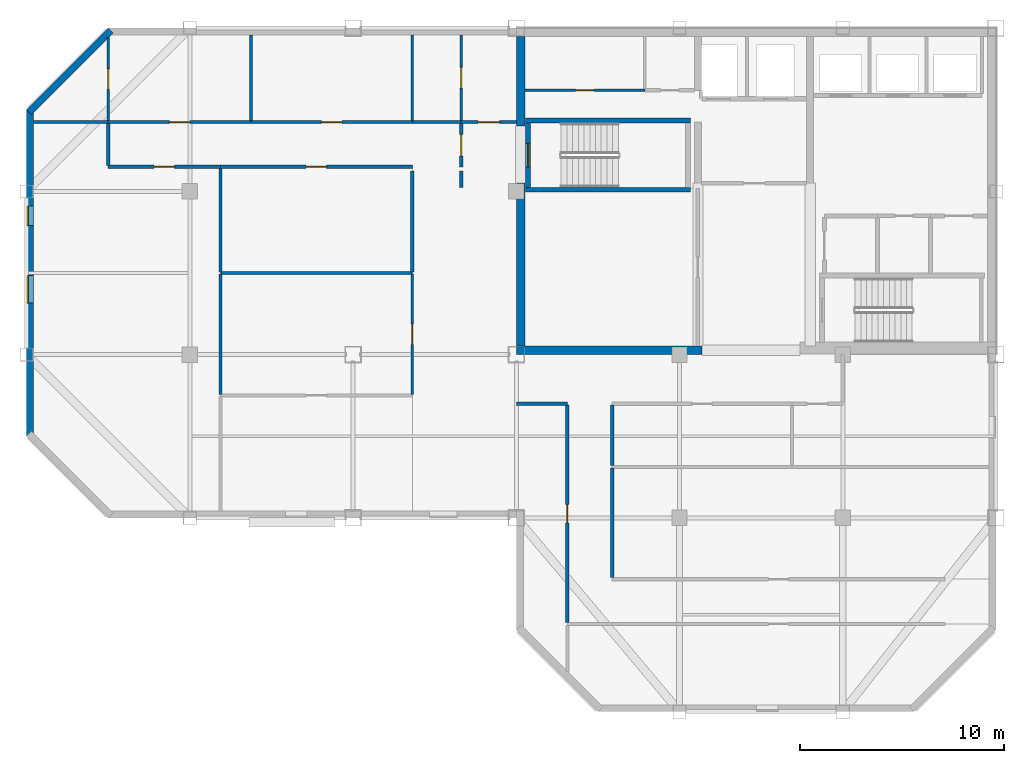
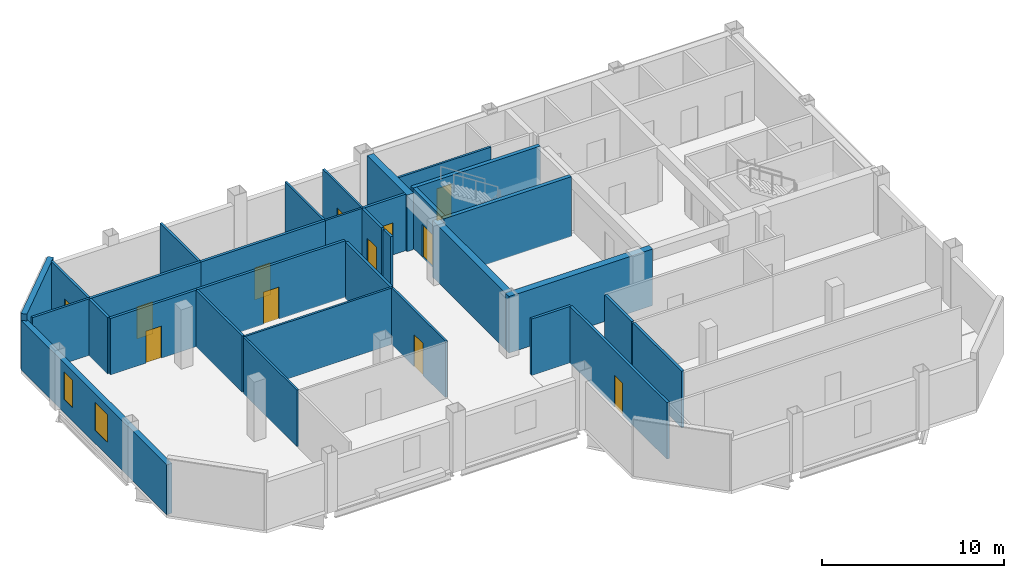
# One storey, part 2 of 7: 32 walls, 12 doors, 2 windows, 14 openings.
"""IFC4 building model written with IfcOpenShell, lengths in metres."""

from ifc_helpers import new_model, si_unit, direction, frame, frame_2d, origin, place, context, subcontext, project, spatial, rectangle, extrude, material, layer, layer_set, type_object, element, fill, save


model = new_model("IFC4")

# Units and contexts
model_context = context("Model", 3, precision=1e-05, world=origin(), true_north=direction((0.0, 1.0)))
body_context = subcontext(model_context, "Body", "Model", "MODEL_VIEW")
ifc_project = project(units=[si_unit("LENGTHUNIT", "METRE"), si_unit("AREAUNIT", "SQUARE_METRE"), si_unit("VOLUMEUNIT", "CUBIC_METRE"), si_unit("PLANEANGLEUNIT", "RADIAN"), si_unit("MASSUNIT", "GRAM", prefix="KILO")], contexts=[model_context])

# Site, building, storey
site_placement = place(None, origin())
site = spatial("IfcSite", under=ifc_project, at=site_placement, CompositionType="ELEMENT")
building_placement = place(site_placement, origin())
building = spatial("IfcBuilding", under=site, at=building_placement, Name="Qianrong Seaharbour Tower", CompositionType="ELEMENT")
storey_placement = place(building_placement, frame((0.0, 0.0, 339.199951171875)))
storey = spatial("IfcBuildingStorey", under=building, at=storey_placement, Name="L82", CompositionType="ELEMENT", Elevation=339.199951171875)

# Walls
ifc_material_1 = material(Name="Concrete C50/60", Category="concrete")
ifc_layer_1 = layer(ifc_material_1, 0.419921875)
ifc_layer_set_1 = layer_set([ifc_layer_1], Name="Concrete C50/60")
wall_type_1 = type_object("IfcWallType", Name="WALL-CORE-420", PredefinedType="SHEAR", material=ifc_layer_set_1)
wall_1_placement = place(storey_placement, frame((40.7099609375, 36.419921875, 0.0), z_axis=(0.0, 0.0, 1.0), x_axis=(0.0, 1.0, 0.0)))
element("IfcWall", 1, at=wall_1_placement, inside=storey, type_object=wall_type_1, Name="L82 West Core Shear Wall South", PredefinedType="SHEAR", context=body_context, shape_type="SweptSolid", body=[
    extrude(rectangle(XDim=7.97998046875, YDim=0.419921875, at=frame_2d((3.989990234375, 0.0))), origin(), (0.0, 0.0, 1.0), 3.78515625),
])
wall_2_placement = place(storey_placement, frame((40.7099609375, 47.199951171875, 0.0), z_axis=(0.0, 0.0, 1.0), x_axis=(0.0, 1.0, 0.0)))
element("IfcWall", 2, at=wall_2_placement, inside=storey, type_object=wall_type_1, Name="L82 West Core Shear Wall North", PredefinedType="SHEAR", context=body_context, shape_type="SweptSolid", body=[
    extrude(rectangle(XDim=4.380126953125, YDim=0.419921875, at=frame_2d((2.18994140625, 0.0))), origin(), (0.0, 0.0, 1.0), 3.78515625),
])
wall_3_placement = place(storey_placement, frame((40.5, 36.2099609375, 0.0), z_axis=(0.0, 0.0, 1.0), x_axis=(1.0, 0.0, 0.0)))
element("IfcWall", 3, at=wall_3_placement, inside=storey, type_object=wall_type_1, Name="L82 South Core Shear Wall S1", PredefinedType="SHEAR", context=body_context, shape_type="SweptSolid", body=[
    extrude(rectangle(XDim=9.10009765625, YDim=0.419921875, at=frame_2d((4.550048828125, 0.0))), origin(), (0.0, 0.0, 1.0), 3.78515625),
])

# Wall, opening, door
ifc_material_2 = material(Name="Fire-rated acoustic gypsum board partition")
ifc_layer_2 = layer(ifc_material_2, 0.1650390625)
ifc_layer_set_2 = layer_set([ifc_layer_2], Name="Fire-rated acoustic gypsum board partition")
wall_type_2 = type_object("IfcWallType", Name="WALL-CORR-PART-165", PredefinedType="PARTITIONING", material=ifc_layer_set_2)
wall_4_placement = place(storey_placement, frame((37.800048828125, 47.39990234375, 0.0), z_axis=(0.0, 0.0, 1.0), x_axis=(1.0, 0.0, 0.0)))
wall_4 = element("IfcWall", 4, at=wall_4_placement, inside=storey, type_object=wall_type_2, Name="L82 Interior Partition Wall 001", PredefinedType="PARTITIONING", context=body_context, shape_type="SweptSolid", body=[
    extrude(rectangle(XDim=2.699951171875, YDim=0.1650390625, at=frame_2d((1.35009765625, 0.0))), origin(), (0.0, 0.0, 1.0), 3.78515625),
])
opening_1_placement = place(wall_4_placement, frame((0.824951171875, 0.0, 0.0)))
opening_1 = element("IfcOpeningElement", 5, at=opening_1_placement, cuts=wall_4, Name="Opening DC-01", PredefinedType="OPENING", context=body_context, shape_type="SweptSolid", body=[
    extrude(rectangle(XDim=1.050048828125, YDim=2.14990234375, at=frame_2d((0.52490234375, 1.074951171875))), frame((0.0, 0.092529296875, 0.0), z_axis=(0.0, -1.0, 0.0), x_axis=(1.0, 0.0, 0.0)), (0.0, 0.0, 1.0), 0.18505859375),
])
ifc_material_3 = material(Name="Acoustic timber and galvanized steel fire door assembly", Category="steel")
door_type_1 = type_object("IfcDoorType", Name="DOOR-CORR-FD60-1050x2150", OperationType="NOTDEFINED", PredefinedType="DOOR", material=ifc_material_3)
door_1_placement = place(opening_1_placement, origin())
door_1 = element("IfcDoor", 6, at=door_1_placement, inside=storey, type_object=door_type_1, Name="L82 Smokeproof Stair Vestibule ST-1 Door", OperationType="SINGLE_SWING_RIGHT", OverallHeight=2.14990234375, OverallWidth=1.050048828125, PredefinedType="DOOR", context=body_context, shape_type="SweptSolid", body=[
    extrude(rectangle(XDim=1.050048828125, YDim=2.14990234375, at=frame_2d((0.52490234375, 1.074951171875))), frame((0.0, 0.02490234375, 0.0), z_axis=(0.0, -1.0, 0.0), x_axis=(1.0, 0.0, 0.0)), (0.0, 0.0, 1.0), 0.050048828125),
])
fill(opening_1, door_1)

wall_5_placement = place(storey_placement, frame((37.800048828125, 45.199951171875, 0.0), z_axis=(0.0, 0.0, 1.0), x_axis=(0.0, 1.0, 0.0)))
wall_5 = element("IfcWall", 7, at=wall_5_placement, inside=storey, type_object=wall_type_2, Name="L82 Interior Partition Wall 002", PredefinedType="PARTITIONING", context=body_context, shape_type="SweptSolid", body=[
    extrude(rectangle(XDim=2.12548828125, YDim=0.1650390625, at=frame_2d((1.062744140625, 0.0))), origin(), (0.0, 0.0, 1.0), 3.78515625),
])
opening_2_placement = place(wall_5_placement, frame((0.537841796875, 0.0, 0.0)))
opening_2 = element("IfcOpeningElement", 8, at=opening_2_placement, cuts=wall_5, Name="Opening DC-01", PredefinedType="OPENING", context=body_context, shape_type="SweptSolid", body=[
    extrude(rectangle(XDim=1.050048828125, YDim=2.14990234375, at=frame_2d((0.52490234375, 1.074951171875))), frame((0.0, 0.092529296875, 0.0), z_axis=(0.0, -1.0, 0.0), x_axis=(1.0, 0.0, 0.0)), (0.0, 0.0, 1.0), 0.18505859375),
])
door_2_placement = place(opening_2_placement, origin())
door_2 = element("IfcDoor", 9, at=door_2_placement, inside=storey, type_object=door_type_1, Name="L82 Smokeproof Stair Vestibule ST-1 Door", OperationType="SINGLE_SWING_LEFT", OverallHeight=2.14990234375, OverallWidth=1.050048828125, PredefinedType="DOOR", context=body_context, shape_type="SweptSolid", body=[
    extrude(rectangle(XDim=1.050048828125, YDim=2.14990234375, at=frame_2d((0.52490234375, 1.074951171875))), frame((0.0, 0.02490234375, 0.0), z_axis=(0.0, -1.0, 0.0), x_axis=(1.0, 0.0, 0.0)), (0.0, 0.0, 1.0), 0.050048828125),
])
fill(opening_2, door_2)

# Wall
wall_6_placement = place(storey_placement, frame((37.800048828125, 44.199951171875, 0.0), z_axis=(0.0, 0.0, 1.0), x_axis=(0.0, 1.0, 0.0)))
element("IfcWall", 10, at=wall_6_placement, inside=storey, type_object=wall_type_2, Name="L82 Interior Partition Wall 003", PredefinedType="PARTITIONING", context=body_context, shape_type="SweptSolid", body=[
    extrude(rectangle(XDim=0.800048828125, YDim=0.1650390625, at=frame_2d((0.39990234375, 0.0))), origin(), (0.0, 0.0, 1.0), 3.78515625),
])

# Wall, opening, door
wall_7_placement = place(storey_placement, frame((20.5, 47.39990234375, 0.0), z_axis=(0.0, 0.0, 1.0), x_axis=(1.0, 0.0, 0.0)))
wall_7 = element("IfcWall", 11, at=wall_7_placement, inside=storey, type_object=wall_type_2, Name="L82 Interior Partition Wall 018", PredefinedType="PARTITIONING", context=body_context, shape_type="SweptSolid", body=[
    extrude(rectangle(XDim=7.0, YDim=0.1650390625, at=frame_2d((3.5, 0.0))), origin(), (0.0, 0.0, 1.0), 3.78515625),
])
opening_3_placement = place(wall_7_placement, frame((3.0, 0.0, 0.0)))
opening_3 = element("IfcOpeningElement", 12, at=opening_3_placement, cuts=wall_7, Name="Opening DO-01", PredefinedType="OPENING", context=body_context, shape_type="SweptSolid", body=[
    extrude(rectangle(XDim=1.0, YDim=2.14990234375, at=frame_2d((0.5, 1.074951171875))), frame((0.0, 0.092529296875, 0.0), z_axis=(0.0, -1.0, 0.0), x_axis=(1.0, 0.0, 0.0)), (0.0, 0.0, 1.0), 0.18505859375),
])
door_type_2 = type_object("IfcDoorType", Name="DOOR-OFFICE-1000x2150", OperationType="NOTDEFINED", PredefinedType="DOOR", material=ifc_material_3)
door_3_placement = place(opening_3_placement, origin())
door_3 = element("IfcDoor", 13, at=door_3_placement, inside=storey, type_object=door_type_2, Name="L82 Physiotherapy Room 2 Door", OperationType="SINGLE_SWING_LEFT", OverallHeight=2.14990234375, OverallWidth=1.0, PredefinedType="DOOR", context=body_context, shape_type="SweptSolid", body=[
    extrude(rectangle(XDim=1.0, YDim=2.14990234375, at=frame_2d((0.5, 1.074951171875))), frame((0.0, 0.02490234375, 0.0), z_axis=(0.0, -1.0, 0.0), x_axis=(1.0, 0.0, 0.0)), (0.0, 0.0, 1.0), 0.050048828125),
])
fill(opening_3, door_3)

wall_8_placement = place(storey_placement, frame((27.5, 47.39990234375, 0.0), z_axis=(0.0, 0.0, 1.0), x_axis=(1.0, 0.0, 0.0)))
wall_8 = element("IfcWall", 14, at=wall_8_placement, inside=storey, type_object=wall_type_2, Name="L82 Interior Partition Wall 019", PredefinedType="PARTITIONING", context=body_context, shape_type="SweptSolid", body=[
    extrude(rectangle(XDim=7.89990234375, YDim=0.1650390625, at=frame_2d((3.949951171875, 0.0))), origin(), (0.0, 0.0, 1.0), 3.78515625),
])
opening_4_placement = place(wall_8_placement, frame((3.449951171875, 0.0, 0.0)))
opening_4 = element("IfcOpeningElement", 15, at=opening_4_placement, cuts=wall_8, Name="Opening DO-01", PredefinedType="OPENING", context=body_context, shape_type="SweptSolid", body=[
    extrude(rectangle(XDim=1.0, YDim=2.14990234375, at=frame_2d((0.5, 1.074951171875))), frame((0.0, 0.092529296875, 0.0), z_axis=(0.0, -1.0, 0.0), x_axis=(1.0, 0.0, 0.0)), (0.0, 0.0, 1.0), 0.18505859375),
])
door_4_placement = place(opening_4_placement, origin())
door_4 = element("IfcDoor", 16, at=door_4_placement, inside=storey, type_object=door_type_2, Name="L82 First Aid Nursing Room 3 Door", OperationType="SINGLE_SWING_RIGHT", OverallHeight=2.14990234375, OverallWidth=1.0, PredefinedType="DOOR", context=body_context, shape_type="SweptSolid", body=[
    extrude(rectangle(XDim=1.0, YDim=2.14990234375, at=frame_2d((0.5, 1.074951171875))), frame((0.0, 0.02490234375, 0.0), z_axis=(0.0, -1.0, 0.0), x_axis=(1.0, 0.0, 0.0)), (0.0, 0.0, 1.0), 0.050048828125),
])
fill(opening_4, door_4)

wall_9_placement = place(storey_placement, frame((26.0, 45.199951171875, 0.0), z_axis=(0.0, 0.0, 1.0), x_axis=(-1.0, 0.0, 0.0)))
wall_9 = element("IfcWall", 17, at=wall_9_placement, inside=storey, type_object=wall_type_2, Name="L82 Interior Partition Wall 020", PredefinedType="PARTITIONING", context=body_context, shape_type="SweptSolid", body=[
    extrude(rectangle(XDim=5.5, YDim=0.1650390625, at=frame_2d((2.75, 0.0))), origin(), (0.0, 0.0, 1.0), 3.78515625),
])
opening_5_placement = place(wall_9_placement, frame((2.25, 0.0, 0.0)))
opening_5 = element("IfcOpeningElement", 18, at=opening_5_placement, cuts=wall_9, Name="Opening DO-01", PredefinedType="OPENING", context=body_context, shape_type="SweptSolid", body=[
    extrude(rectangle(XDim=1.0, YDim=2.14990234375, at=frame_2d((0.5, 1.074951171875))), frame((0.0, 0.092529296875, 0.0), z_axis=(0.0, -1.0, 0.0), x_axis=(1.0, 0.0, 0.0)), (0.0, 0.0, 1.0), 0.18505859375),
])
door_5_placement = place(opening_5_placement, origin())
door_5 = element("IfcDoor", 19, at=door_5_placement, inside=storey, type_object=door_type_2, Name="L82 Wellness Exercise Hall Door", OperationType="SINGLE_SWING_LEFT", OverallHeight=2.14990234375, OverallWidth=1.0, PredefinedType="DOOR", context=body_context, shape_type="SweptSolid", body=[
    extrude(rectangle(XDim=1.0, YDim=2.14990234375, at=frame_2d((0.5, 1.074951171875))), frame((0.0, 0.02490234375, 0.0), z_axis=(0.0, -1.0, 0.0), x_axis=(1.0, 0.0, 0.0)), (0.0, 0.0, 1.0), 0.050048828125),
])
fill(opening_5, door_5)

# Wall
wall_10_placement = place(storey_placement, frame((20.5, 45.2744140625, 0.0), z_axis=(0.0, 0.0, 1.0), x_axis=(0.0, 1.0, 0.0)))
element("IfcWall", 20, at=wall_10_placement, inside=storey, type_object=wall_type_2, Name="L82 Interior Partition Wall 021", PredefinedType="PARTITIONING", context=body_context, shape_type="SweptSolid", body=[
    extrude(rectangle(XDim=2.051025390625, YDim=0.1650390625, at=frame_2d((1.025390625, 0.0))), origin(), (0.0, 0.0, 1.0), 3.78515625),
])

# Wall, opening, door
wall_11_placement = place(storey_placement, frame((35.39990234375, 45.199951171875, 0.0), z_axis=(0.0, 0.0, 1.0), x_axis=(-1.0, 0.0, 0.0)))
wall_11 = element("IfcWall", 21, at=wall_11_placement, inside=storey, type_object=wall_type_2, Name="L82 Interior Partition Wall 022", PredefinedType="PARTITIONING", context=body_context, shape_type="SweptSolid", body=[
    extrude(rectangle(XDim=9.39990234375, YDim=0.1650390625, at=frame_2d((4.699951171875, 0.0))), origin(), (0.0, 0.0, 1.0), 3.78515625),
])
opening_6_placement = place(wall_11_placement, frame((4.199951171875, 0.0, 0.0)))
opening_6 = element("IfcOpeningElement", 22, at=opening_6_placement, cuts=wall_11, Name="Opening DO-01", PredefinedType="OPENING", context=body_context, shape_type="SweptSolid", body=[
    extrude(rectangle(XDim=1.0, YDim=2.14990234375, at=frame_2d((0.5, 1.074951171875))), frame((0.0, 0.092529296875, 0.0), z_axis=(0.0, -1.0, 0.0), x_axis=(1.0, 0.0, 0.0)), (0.0, 0.0, 1.0), 0.18505859375),
])
door_6_placement = place(opening_6_placement, origin())
door_6 = element("IfcDoor", 23, at=door_6_placement, inside=storey, type_object=door_type_2, Name="L82 Records Office 3 Door", OperationType="SINGLE_SWING_RIGHT", OverallHeight=2.14990234375, OverallWidth=1.0, PredefinedType="DOOR", context=body_context, shape_type="SweptSolid", body=[
    extrude(rectangle(XDim=1.0, YDim=2.14990234375, at=frame_2d((0.5, 1.074951171875))), frame((0.0, 0.02490234375, 0.0), z_axis=(0.0, -1.0, 0.0), x_axis=(1.0, 0.0, 0.0)), (0.0, 0.0, 1.0), 0.050048828125),
])
fill(opening_6, door_6)

# Walls
wall_12_placement = place(storey_placement, frame((35.39990234375, 40.056884765625, 0.0), z_axis=(0.0, 0.0, 1.0), x_axis=(0.0, 1.0, 0.0)))
element("IfcWall", 24, at=wall_12_placement, inside=storey, type_object=wall_type_2, Name="L82 Interior Partition Wall 024", PredefinedType="PARTITIONING", context=body_context, shape_type="SweptSolid", body=[
    extrude(rectangle(XDim=4.943115234375, YDim=0.1650390625, at=frame_2d((2.4716796875, 0.0))), origin(), (0.0, 0.0, 1.0), 3.78515625),
])
wall_13_placement = place(storey_placement, frame((43.0, 33.60009765625, 0.0), z_axis=(0.0, 0.0, 1.0), x_axis=(-1.0, 0.0, 0.0)))
element("IfcWall", 25, at=wall_13_placement, inside=storey, type_object=wall_type_2, Name="L82 Interior Partition Wall 028", PredefinedType="PARTITIONING", context=body_context, shape_type="SweptSolid", body=[
    extrude(rectangle(XDim=2.5, YDim=0.1650390625, at=frame_2d((1.25, 0.0))), origin(), (0.0, 0.0, 1.0), 3.78515625),
])
wall_14_placement = place(storey_placement, frame((45.199951171875, 30.435546875, 0.0), z_axis=(0.0, 0.0, 1.0), x_axis=(0.0, -1.0, 0.0)))
element("IfcWall", 26, at=wall_14_placement, inside=storey, type_object=wall_type_2, Name="L82 Interior Partition Wall 030", PredefinedType="PARTITIONING", context=body_context, shape_type="SweptSolid", body=[
    extrude(rectangle(XDim=5.361083984375, YDim=0.1650390625, at=frame_2d((2.6806640625, 0.0))), origin(), (0.0, 0.0, 1.0), 3.78515625),
])
wall_15_placement = place(storey_placement, frame((45.199951171875, 33.525390625, 0.0), z_axis=(0.0, 0.0, 1.0), x_axis=(0.0, -1.0, 0.0)))
element("IfcWall", 27, at=wall_15_placement, inside=storey, type_object=wall_type_2, Name="L82 Interior Partition Wall 031", PredefinedType="PARTITIONING", context=body_context, shape_type="SweptSolid", body=[
    extrude(rectangle(XDim=2.9609375, YDim=0.1650390625, at=frame_2d((1.48046875, 0.0))), origin(), (0.0, 0.0, 1.0), 3.78515625),
])

# Wall, opening, door
wall_16_placement = place(storey_placement, frame((43.0, 22.87451171875, 0.0), z_axis=(0.0, 0.0, 1.0), x_axis=(0.0, 1.0, 0.0)))
wall_16 = element("IfcWall", 28, at=wall_16_placement, inside=storey, type_object=wall_type_2, Name="L82 Interior Partition Wall 032", PredefinedType="PARTITIONING", context=body_context, shape_type="SweptSolid", body=[
    extrude(rectangle(XDim=10.65087890625, YDim=0.1650390625, at=frame_2d((5.325439453125, 0.0))), origin(), (0.0, 0.0, 1.0), 3.78515625),
])
opening_7_placement = place(wall_16_placement, frame((4.87548828125, 0.0, 0.0)))
opening_7 = element("IfcOpeningElement", 29, at=opening_7_placement, cuts=wall_16, Name="Opening DS-01", PredefinedType="OPENING", context=body_context, shape_type="SweptSolid", body=[
    extrude(rectangle(XDim=0.89990234375, YDim=2.14990234375, at=frame_2d((0.449951171875, 1.074951171875))), frame((0.0, 0.092529296875, 0.0), z_axis=(0.0, -1.0, 0.0), x_axis=(1.0, 0.0, 0.0)), (0.0, 0.0, 1.0), 0.18505859375),
])
door_type_3 = type_object("IfcDoorType", Name="DOOR-STORE-900x2150", OperationType="NOTDEFINED", PredefinedType="DOOR", material=ifc_material_3)
door_7_placement = place(opening_7_placement, origin())
door_7 = element("IfcDoor", 30, at=door_7_placement, inside=storey, type_object=door_type_3, Name="L82 Clinical Dispensary Store Door", OperationType="SINGLE_SWING_LEFT", OverallHeight=2.14990234375, OverallWidth=0.89990234375, PredefinedType="DOOR", context=body_context, shape_type="SweptSolid", body=[
    extrude(rectangle(XDim=0.89990234375, YDim=2.14990234375, at=frame_2d((0.449951171875, 1.074951171875))), frame((0.0, 0.02490234375, 0.0), z_axis=(0.0, -1.0, 0.0), x_axis=(1.0, 0.0, 0.0)), (0.0, 0.0, 1.0), 0.050048828125),
])
fill(opening_7, door_7)

# Wall, openings, windows
ifc_material_4 = material(Name="Unitised buff brick on Precast concrete C45/55", Category="masonry")
ifc_layer_3 = layer(ifc_material_4, 0.340087890625)
ifc_layer_set_3 = layer_set([ifc_layer_3], Name="Unitised buff brick on Precast concrete C45/55")
wall_type_3 = type_object("IfcWallType", Name="WALL-EXT-BRICK-BUFF-340", PredefinedType="SOLIDWALL", material=ifc_layer_set_3)
wall_17_placement = place(storey_placement, frame((16.669921875, 32.0, 0.0), z_axis=(0.0, 0.0, 1.0), x_axis=(0.0, 1.0, 0.0)))
wall_17 = element("IfcWall", 31, at=wall_17_placement, inside=storey, type_object=wall_type_3, Name="L82 Exterior Masonry Facade Wall WEST_TIP", PredefinedType="SOLIDWALL", context=body_context, shape_type="SweptSolid", body=[
    extrude(rectangle(XDim=16.0, YDim=0.340087890625, at=frame_2d((8.0, 0.0))), origin(), (0.0, 0.0, 1.0), 3.3349609375),
])
opening_8_placement = place(wall_17_placement, frame((6.52490234375, 0.0, 0.89990234375)))
opening_8 = element("IfcOpeningElement", 32, at=opening_8_placement, cuts=wall_17, Name="Opening WN-02", PredefinedType="OPENING", context=body_context, shape_type="SweptSolid", body=[
    extrude(rectangle(XDim=1.35009765625, YDim=1.85009765625, at=frame_2d((0.675048828125, 0.925048828125))), frame((0.0, 0.18017578125, 0.0), z_axis=(0.0, -1.0, 0.0), x_axis=(1.0, 0.0, 0.0)), (0.0, 0.0, 1.0), 0.360107421875),
])
opening_9_placement = place(wall_17_placement, frame((10.324951171875, 0.0, 0.89990234375)))
opening_9 = element("IfcOpeningElement", 33, at=opening_9_placement, cuts=wall_17, Name="Opening WN-13", PredefinedType="OPENING", context=body_context, shape_type="SweptSolid", body=[
    extrude(rectangle(XDim=0.949951171875, YDim=1.85009765625, at=frame_2d((0.47509765625, 0.925048828125))), frame((0.0, 0.18017578125, 0.0), z_axis=(0.0, -1.0, 0.0), x_axis=(1.0, 0.0, 0.0)), (0.0, 0.0, 1.0), 0.360107421875),
])
ifc_material_5 = material(Name="Insulated low-e double glazing in thermally broken aluminium 6063-T6 frame", Category="aluminium")
window_type_1 = type_object("IfcWindowType", Name="WIN-NARROW-950x1850", PartitioningType="SINGLE_PANEL", PredefinedType="WINDOW", material=ifc_material_5)
window_1_placement = place(opening_9_placement, origin())
window_1 = element("IfcWindow", 34, at=window_1_placement, inside=storey, type_object=window_type_1, Name="L82 Deep-Set Punched Window 03.03", OverallHeight=1.85009765625, OverallWidth=0.949951171875, PartitioningType="SINGLE_PANEL", PredefinedType="WINDOW", context=body_context, shape_type="SweptSolid", body=[
    extrude(rectangle(XDim=0.949951171875, YDim=1.85009765625, at=frame_2d((0.47509765625, 0.925048828125))), frame((0.0, 0.150146484375, 0.0), z_axis=(0.0, -1.0, 0.0), x_axis=(1.0, 0.0, 0.0)), (0.0, 0.0, 1.0), 0.06005859375),
])
fill(opening_9, window_1)
window_type_2 = type_object("IfcWindowType", Name="WIN-PUNCH-1350x1850", PartitioningType="DOUBLE_PANEL_VERTICAL", PredefinedType="WINDOW", material=ifc_material_5)
window_2_placement = place(opening_8_placement, origin())
window_2 = element("IfcWindow", 35, at=window_2_placement, inside=storey, type_object=window_type_2, Name="L82 Deep-Set Punched Window 03.02", OverallHeight=1.85009765625, OverallWidth=1.35009765625, PartitioningType="DOUBLE_PANEL_VERTICAL", PredefinedType="WINDOW", context=body_context, shape_type="SweptSolid", body=[
    extrude(rectangle(XDim=1.35009765625, YDim=1.85009765625, at=frame_2d((0.675048828125, 0.925048828125))), frame((0.0, 0.150146484375, 0.0), z_axis=(0.0, -1.0, 0.0), x_axis=(1.0, 0.0, 0.0)), (0.0, 0.0, 1.0), 0.06005859375),
])
fill(opening_8, window_2)

# Wall
wall_18_placement = place(storey_placement, frame((16.6201171875, 47.8798828125, 0.0), z_axis=(0.0, 0.0, 1.0), x_axis=(0.707106781187, 0.707106781187, 0.0)))
element("IfcWall", 36, at=wall_18_placement, inside=storey, type_object=wall_type_3, Name="L82 Exterior Masonry Facade Wall E04", PredefinedType="SOLIDWALL", context=body_context, shape_type="SweptSolid", body=[
    extrude(rectangle(XDim=5.65673828125, YDim=0.340087890625, at=frame_2d((2.828369140625, 0.0))), origin(), (0.0, 0.0, 1.0), 3.78515625),
])

# Wall, opening, door
ifc_material_6 = material(Name="Acoustic gypsum board stud partition")
ifc_layer_4 = layer(ifc_material_6, 0.14501953125)
ifc_layer_set_4 = layer_set([ifc_layer_4], Name="Acoustic gypsum board stud partition")
wall_type_4 = type_object("IfcWallType", Name="WALL-OFFICE-PART-145", PredefinedType="PARTITIONING", material=ifc_layer_set_4)
wall_19_placement = place(storey_placement, frame((20.5, 51.530517578125, 0.0), z_axis=(0.0, 0.0, 1.0), x_axis=(0.0, -1.0, 0.0)))
wall_19 = element("IfcWall", 37, at=wall_19_placement, inside=storey, type_object=wall_type_4, Name="L82 Interior Partition Wall 039", PredefinedType="PARTITIONING", context=body_context, shape_type="SweptSolid", body=[
    extrude(rectangle(XDim=4.055908203125, YDim=0.14501953125, at=frame_2d((2.02783203125, 0.0))), origin(), (0.0, 0.0, 1.0), 3.78515625),
])
opening_10_placement = place(wall_19_placement, frame((1.528076171875, 0.0, 0.0)))
opening_10 = element("IfcOpeningElement", 38, at=opening_10_placement, cuts=wall_19, Name="Opening DO-01", PredefinedType="OPENING", context=body_context, shape_type="SweptSolid", body=[
    extrude(rectangle(XDim=1.0, YDim=2.14990234375, at=frame_2d((0.5, 1.074951171875))), frame((0.0, 0.08251953125, 0.0), z_axis=(0.0, -1.0, 0.0), x_axis=(1.0, 0.0, 0.0)), (0.0, 0.0, 1.0), 0.1650390625),
])
door_8_placement = place(opening_10_placement, origin())
door_8 = element("IfcDoor", 39, at=door_8_placement, inside=storey, type_object=door_type_2, Name="L82 Occupational Health Clinic 1 Door", OperationType="SINGLE_SWING_RIGHT", OverallHeight=2.14990234375, OverallWidth=1.0, PredefinedType="DOOR", context=body_context, shape_type="SweptSolid", body=[
    extrude(rectangle(XDim=1.0, YDim=2.14990234375, at=frame_2d((0.5, 1.074951171875))), frame((0.0, 0.02490234375, 0.0), z_axis=(0.0, -1.0, 0.0), x_axis=(1.0, 0.0, 0.0)), (0.0, 0.0, 1.0), 0.050048828125),
])
fill(opening_10, door_8)

# Walls
wall_20_placement = place(storey_placement, frame((20.5, 47.39990234375, 0.0), z_axis=(0.0, 0.0, 1.0), x_axis=(-1.0, 0.0, 0.0)))
element("IfcWall", 40, at=wall_20_placement, inside=storey, type_object=wall_type_4, Name="L82 Interior Partition Wall 040", PredefinedType="PARTITIONING", context=body_context, shape_type="SweptSolid", body=[
    extrude(rectangle(XDim=3.66796875, YDim=0.14501953125, at=frame_2d((1.833984375, 0.0))), origin(), (0.0, 0.0, 1.0), 3.78515625),
])
wall_21_placement = place(storey_placement, frame((27.5, 51.66796875, 0.0), z_axis=(0.0, 0.0, 1.0), x_axis=(0.0, -1.0, 0.0)))
element("IfcWall", 41, at=wall_21_placement, inside=storey, type_object=wall_type_4, Name="L82 Interior Partition Wall 041", PredefinedType="PARTITIONING", context=body_context, shape_type="SweptSolid", body=[
    extrude(rectangle(XDim=4.193359375, YDim=0.14501953125, at=frame_2d((2.0966796875, 0.0))), origin(), (0.0, 0.0, 1.0), 3.78515625),
])
wall_22_placement = place(storey_placement, frame((26.0, 45.12548828125, 0.0), z_axis=(0.0, 0.0, 1.0), x_axis=(0.0, -1.0, 0.0)))
element("IfcWall", 42, at=wall_22_placement, inside=storey, type_object=wall_type_4, Name="L82 Interior Partition Wall 044", PredefinedType="PARTITIONING", context=body_context, shape_type="SweptSolid", body=[
    extrude(rectangle(XDim=5.068603515625, YDim=0.14501953125, at=frame_2d((2.5341796875, 0.0))), origin(), (0.0, 0.0, 1.0), 3.78515625),
])
ifc_layer_5 = layer(ifc_material_1, 0.239990234375)
ifc_layer_set_5 = layer_set([ifc_layer_5], Name="Concrete C50/60")
wall_type_5 = type_object("IfcWallType", Name="WALL-SHAFT-RC240", PredefinedType="SOLIDWALL", material=ifc_layer_set_5)
for number, where, z_axis, x_axis, name in (
    (43, (40.9599609375, 47.469970703125, 0.0), (0.0, 0.0, 1.0), (1.0, 0.0, 0.0), "L82 ST-1 Structural Stair Core Wall N"),
    (44, (49.0400390625, 44.080078125, 0.0), (0.0, 0.0, 1.0), (-1.0, 0.0, 0.0), "L82 ST-1 Structural Stair Core Wall S"),
):
    element("IfcWall", number, at=place(storey_placement, frame(where, z_axis=z_axis, x_axis=x_axis)), inside=storey, type_object=wall_type_5, Name=name, PredefinedType="SOLIDWALL", context=body_context, shape_type="SweptSolid", body=[
        extrude(rectangle(XDim=8.080078125, YDim=0.239990234375, at=frame_2d((4.0400390625, 0.0))), origin(), (0.0, 0.0, 1.0), 4.0),
    ])

# Wall, opening, door
wall_23_placement = place(storey_placement, frame((41.080078125, 47.35009765625, 0.0), z_axis=(0.0, 0.0, 1.0), x_axis=(0.0, -1.0, 0.0)))
wall_23 = element("IfcWall", 45, at=wall_23_placement, inside=storey, type_object=wall_type_5, Name="L82 ST-1 Structural Stair Core Wall W", PredefinedType="SOLIDWALL", context=body_context, shape_type="SweptSolid", body=[
    extrude(rectangle(XDim=3.150146484375, YDim=0.239990234375, at=frame_2d((1.5751953125, 0.0))), origin(), (0.0, 0.0, 1.0), 4.0),
])
opening_11_placement = place(wall_23_placement, frame((1.0, 0.0, 0.0)))
opening_11 = element("IfcOpeningElement", 46, at=opening_11_placement, cuts=wall_23, Name="Opening SD-01", PredefinedType="OPENING", context=body_context, shape_type="SweptSolid", body=[
    extrude(rectangle(XDim=1.14990234375, YDim=2.199951171875, at=frame_2d((0.574951171875, 1.10009765625))), frame((0.0, 0.1298828125, 0.0), z_axis=(0.0, -1.0, 0.0), x_axis=(1.0, 0.0, 0.0)), (0.0, 0.0, 1.0), 0.260009765625),
])
door_type_4 = type_object("IfcDoorType", Name="DOOR-STAIR-FD60-1150x2200", OperationType="NOTDEFINED", PredefinedType="DOOR", material=ifc_material_3)
door_9_placement = place(opening_11_placement, origin())
door_9 = element("IfcDoor", 47, at=door_9_placement, inside=storey, type_object=door_type_4, Name="L82 ST-1 Protected Stair Door", OperationType="SINGLE_SWING_LEFT", OverallHeight=2.199951171875, OverallWidth=1.14990234375, PredefinedType="DOOR", context=body_context, shape_type="SweptSolid", body=[
    extrude(rectangle(XDim=1.14990234375, YDim=2.199951171875, at=frame_2d((0.574951171875, 1.10009765625))), frame((0.0, 0.02490234375, 0.0), z_axis=(0.0, -1.0, 0.0), x_axis=(1.0, 0.0, 0.0)), (0.0, 0.0, 1.0), 0.050048828125),
])
fill(opening_11, door_9)

ifc_material_7 = material(Name="Water-resistant cement board sanitary partition")
ifc_layer_6 = layer(ifc_material_7, 0.1298828125)
ifc_layer_set_6 = layer_set([ifc_layer_6], Name="Water-resistant cement board sanitary partition")
wall_type_6 = type_object("IfcWallType", Name="WALL-WET-PART-130", PredefinedType="PARTITIONING", material=ifc_layer_set_6)
wall_24_placement = place(storey_placement, frame((37.800048828125, 47.474609375, 0.0), z_axis=(0.0, 0.0, 1.0), x_axis=(0.0, 1.0, 0.0)))
wall_24 = element("IfcWall", 48, at=wall_24_placement, inside=storey, type_object=wall_type_6, Name="L82 Interior Partition Wall 004", PredefinedType="PARTITIONING", context=body_context, shape_type="SweptSolid", body=[
    extrude(rectangle(XDim=4.193359375, YDim=0.1298828125, at=frame_2d((2.0966796875, 0.0))), origin(), (0.0, 0.0, 1.0), 3.78515625),
])
opening_12_placement = place(wall_24_placement, frame((1.5869140625, 0.0, 0.0)))
opening_12 = element("IfcOpeningElement", 49, at=opening_12_placement, cuts=wall_24, Name="Opening DAW-01", PredefinedType="OPENING", context=body_context, shape_type="SweptSolid", body=[
    extrude(rectangle(XDim=1.02001953125, YDim=2.14990234375, at=frame_2d((0.510009765625, 1.074951171875))), frame((0.0, 0.074951171875, 0.0), z_axis=(0.0, -1.0, 0.0), x_axis=(1.0, 0.0, 0.0)), (0.0, 0.0, 1.0), 0.14990234375),
])
door_type_5 = type_object("IfcDoorType", Name="DOOR-AWC-SLIDE-1020x2150", OperationType="SLIDING_TO_LEFT", PredefinedType="DOOR", material=ifc_material_3)
door_10_placement = place(opening_12_placement, origin())
door_10 = element("IfcDoor", 50, at=door_10_placement, inside=storey, type_object=door_type_5, Name="L82 Accessible Restroom WC Door", OperationType="SLIDING_TO_LEFT", OverallHeight=2.14990234375, OverallWidth=1.02001953125, PredefinedType="DOOR", context=body_context, shape_type="SweptSolid", body=[
    extrude(rectangle(XDim=1.02001953125, YDim=2.14990234375, at=frame_2d((0.510009765625, 1.074951171875))), frame((0.0, 0.02490234375, 0.0), z_axis=(0.0, -1.0, 0.0), x_axis=(1.0, 0.0, 0.0)), (0.0, 0.0, 1.0), 0.050048828125),
])
fill(opening_12, door_10)

# Walls
wall_25_placement = place(storey_placement, frame((37.800048828125, 47.39990234375, 0.0), z_axis=(0.0, 0.0, 1.0), x_axis=(-1.0, 0.0, 0.0)))
element("IfcWall", 51, at=wall_25_placement, inside=storey, type_object=wall_type_6, Name="L82 Interior Partition Wall 005", PredefinedType="PARTITIONING", context=body_context, shape_type="SweptSolid", body=[
    extrude(rectangle(XDim=2.400146484375, YDim=0.1298828125, at=frame_2d((1.2001953125, 0.0))), origin(), (0.0, 0.0, 1.0), 3.78515625),
])
wall_26_placement = place(storey_placement, frame((35.39990234375, 47.474609375, 0.0), z_axis=(0.0, 0.0, 1.0), x_axis=(0.0, 1.0, 0.0)))
element("IfcWall", 52, at=wall_26_placement, inside=storey, type_object=wall_type_6, Name="L82 Interior Partition Wall 006", PredefinedType="PARTITIONING", context=body_context, shape_type="SweptSolid", body=[
    extrude(rectangle(XDim=4.193359375, YDim=0.1298828125, at=frame_2d((2.0966796875, 0.0))), origin(), (0.0, 0.0, 1.0), 3.78515625),
])

# Wall, opening, door
wall_27_placement = place(storey_placement, frame((40.919921875, 48.949951171875, 0.0), z_axis=(0.0, 0.0, 1.0), x_axis=(1.0, 0.0, 0.0)))
wall_27 = element("IfcWall", 53, at=wall_27_placement, inside=storey, type_object=wall_type_6, Name="L82 Interior Partition Wall 007", PredefinedType="PARTITIONING", context=body_context, shape_type="SweptSolid", body=[
    extrude(rectangle(XDim=5.880126953125, YDim=0.1298828125, at=frame_2d((2.93994140625, 0.0))), origin(), (0.0, 0.0, 1.0), 3.78515625),
])
opening_13_placement = place(wall_27_placement, frame((2.47998046875, 0.0, 0.0)))
opening_13 = element("IfcOpeningElement", 54, at=opening_13_placement, cuts=wall_27, Name="Opening DW-01", PredefinedType="OPENING", context=body_context, shape_type="SweptSolid", body=[
    extrude(rectangle(XDim=0.919921875, YDim=2.14990234375, at=frame_2d((0.4599609375, 1.074951171875))), frame((0.0, 0.074951171875, 0.0), z_axis=(0.0, -1.0, 0.0), x_axis=(1.0, 0.0, 0.0)), (0.0, 0.0, 1.0), 0.14990234375),
])
door_type_6 = type_object("IfcDoorType", Name="DOOR-WC-920x2150", OperationType="NOTDEFINED", PredefinedType="DOOR", material=ifc_material_3)
door_11_placement = place(opening_13_placement, origin())
door_11 = element("IfcDoor", 55, at=door_11_placement, inside=storey, type_object=door_type_6, Name="L82 Restroom WC Suite Door", OperationType="SINGLE_SWING_LEFT", OverallHeight=2.14990234375, OverallWidth=0.919921875, PredefinedType="DOOR", context=body_context, shape_type="SweptSolid", body=[
    extrude(rectangle(XDim=0.919921875, YDim=2.14990234375, at=frame_2d((0.4599609375, 1.074951171875))), frame((0.0, 0.02490234375, 0.0), z_axis=(0.0, -1.0, 0.0), x_axis=(1.0, 0.0, 0.0)), (0.0, 0.0, 1.0), 0.050048828125),
])
fill(opening_13, door_11)

wall_28_placement = place(storey_placement, frame((35.39990234375, 34.056884765625, 0.0), z_axis=(0.0, 0.0, 1.0), x_axis=(0.0, 1.0, 0.0)))
wall_28 = element("IfcWall", 56, at=wall_28_placement, inside=storey, type_object=wall_type_6, Name="L82 Interior Partition Wall 023", PredefinedType="PARTITIONING", context=body_context, shape_type="SweptSolid", body=[
    extrude(rectangle(XDim=5.88623046875, YDim=0.1298828125, at=frame_2d((2.943115234375, 0.0))), origin(), (0.0, 0.0, 1.0), 3.78515625),
])
opening_14_placement = place(wall_28_placement, frame((2.443115234375, 0.0, 0.0)))
opening_14 = element("IfcOpeningElement", 57, at=opening_14_placement, cuts=wall_28, Name="Opening DO-01", PredefinedType="OPENING", context=body_context, shape_type="SweptSolid", body=[
    extrude(rectangle(XDim=1.0, YDim=2.14990234375, at=frame_2d((0.5, 1.074951171875))), frame((0.0, 0.074951171875, 0.0), z_axis=(0.0, -1.0, 0.0), x_axis=(1.0, 0.0, 0.0)), (0.0, 0.0, 1.0), 0.14990234375),
])
door_12_placement = place(opening_14_placement, origin())
door_12 = element("IfcDoor", 58, at=door_12_placement, inside=storey, type_object=door_type_2, Name="L82 Wet Pantry 2 Door", OperationType="SINGLE_SWING_LEFT", OverallHeight=2.14990234375, OverallWidth=1.0, PredefinedType="DOOR", context=body_context, shape_type="SweptSolid", body=[
    extrude(rectangle(XDim=1.0, YDim=2.14990234375, at=frame_2d((0.5, 1.074951171875))), frame((0.0, 0.02490234375, 0.0), z_axis=(0.0, -1.0, 0.0), x_axis=(1.0, 0.0, 0.0)), (0.0, 0.0, 1.0), 0.050048828125),
])
fill(opening_14, door_12)

# Walls
wall_29_placement = place(storey_placement, frame((26.0, 39.943115234375, 0.0), z_axis=(0.0, 0.0, 1.0), x_axis=(0.0, -1.0, 0.0)))
element("IfcWall", 59, at=wall_29_placement, inside=storey, type_object=wall_type_6, Name="L82 Interior Partition Wall 043", PredefinedType="PARTITIONING", context=body_context, shape_type="SweptSolid", body=[
    extrude(rectangle(XDim=5.88623046875, YDim=0.1298828125, at=frame_2d((2.943115234375, 0.0))), origin(), (0.0, 0.0, 1.0), 3.78515625),
])
wall_30_placement = place(storey_placement, frame((26.0, 40.0, 0.0), z_axis=(0.0, 0.0, 1.0), x_axis=(1.0, 0.0, 0.0)))
element("IfcWall", 60, at=wall_30_placement, inside=storey, type_object=wall_type_6, Name="L82 Interior Partition Wall 046", PredefinedType="PARTITIONING", context=body_context, shape_type="SweptSolid", body=[
    extrude(rectangle(XDim=9.39990234375, YDim=0.1298828125, at=frame_2d((4.699951171875, 0.0))), origin(), (0.0, 0.0, 1.0), 3.78515625),
])

save(model, "model.ifc")
